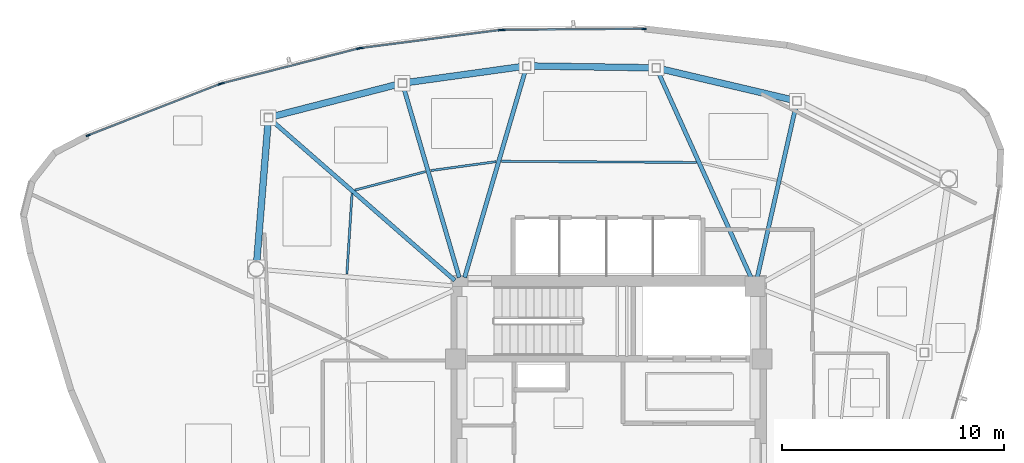
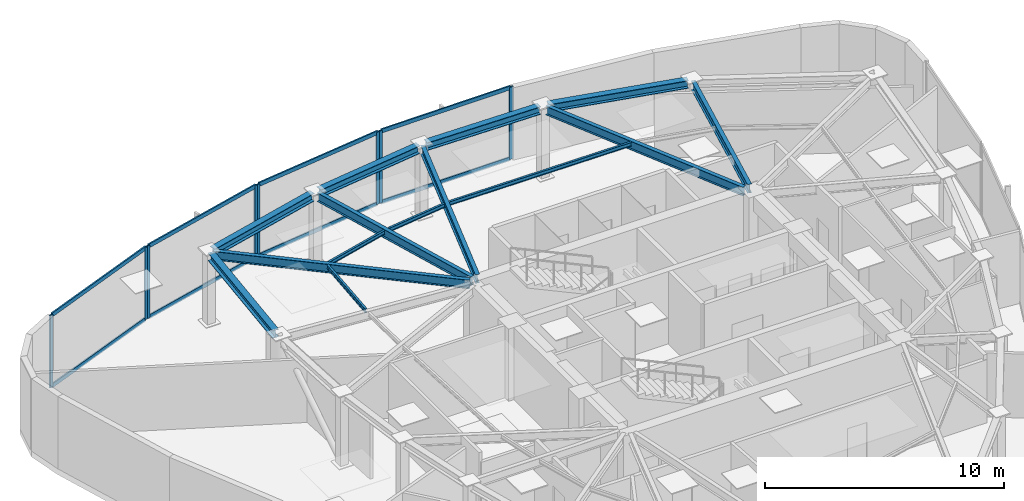
# One storey, part 5 of 11: 16 members, 14 beams, 4 elements without a shape of their own.
"""IFC4 building model written with IfcOpenShell, lengths in metres."""

from ifc_helpers import new_model, si_unit, direction, frame, origin, origin_2d, place, context, subcontext, project, spatial, hollow_rectangle, i_section, extrude, source, transform, mapped, material, layer, layer_set, material_profile, profile_set, type_object, type_shapes, element, aggregate, save


model = new_model("IFC4")

# Units and contexts
model_context = context("Model", 3, precision=1e-05, world=origin(), true_north=direction((0.0, 1.0)))
body_context = subcontext(model_context, "Body", "Model", "MODEL_VIEW")
ifc_project = project(units=[si_unit("LENGTHUNIT", "METRE"), si_unit("AREAUNIT", "SQUARE_METRE"), si_unit("VOLUMEUNIT", "CUBIC_METRE"), si_unit("PLANEANGLEUNIT", "RADIAN"), si_unit("MASSUNIT", "GRAM", prefix="KILO")], contexts=[model_context])

# Site, building, storey
site_placement = place(None, origin())
site = spatial("IfcSite", under=ifc_project, at=site_placement, CompositionType="ELEMENT")
building_placement = place(site_placement, origin())
building = spatial("IfcBuilding", under=site, at=building_placement, Name="Tavelor Broadcast Tower", CompositionType="ELEMENT")
storey_placement = place(building_placement, frame((0.0, 0.0, 313.5)))
storey = spatial("IfcBuildingStorey", under=building, at=storey_placement, Name="L75", CompositionType="ELEMENT", Elevation=313.5)

# Beams
ifc_material_1 = material(Name="Steel S355", Category="steel")
ifc_material_profile_1 = material_profile(ifc_material_1, i_section(OverallWidth=0.10009765625, OverallDepth=0.199951171875, WebThickness=0.005615234375, FlangeThickness=0.008544921875, at=origin_2d()), Name="IPE 200")
ifc_profile_set_1 = profile_set([ifc_material_profile_1], Name="Steel S355")
beam_type_1 = type_object("IfcBeamType", Name="Composite Floor Joist T8 IPE 200", PredefinedType="JOIST", material=ifc_profile_set_1)
beam_1_placement = place(storey_placement, frame((53.948486328125, 56.79248046875, 3.60009765625), z_axis=(-0.999983070215, 0.005818873004, 0.0), x_axis=(-0.005818873004, -0.999983070215, 0.0)))
element("IfcBeam", 1, at=beam_1_placement, inside=storey, type_object=beam_type_1, Name="L75 Secondary Composite Floor Joist 15", PredefinedType="JOIST", context=body_context, shape_type="SweptSolid", body=[
    extrude(i_section(OverallWidth=0.10009765625, OverallDepth=0.199951171875, WebThickness=0.005615234375, FlangeThickness=0.008544921875, at=origin_2d()), origin(), (0.0, 0.0, 1.0), 8.76904296875),
])
beam_2_placement = place(storey_placement, frame((44.933349609375, 56.827392578125, 3.60009765625), z_axis=(-0.990783480594, -0.135455138636, 0.0), x_axis=(0.135455138636, -0.990783480594, 0.0)))
element("IfcBeam", 2, at=beam_2_placement, inside=storey, type_object=beam_type_1, Name="L75 Secondary Composite Floor Joist 16", PredefinedType="JOIST", context=body_context, shape_type="SweptSolid", body=[
    extrude(i_section(OverallWidth=0.10009765625, OverallDepth=0.199951171875, WebThickness=0.005615234375, FlangeThickness=0.008544921875, at=origin_2d()), origin(), (0.0, 0.0, 1.0), 2.963134765625),
])
beam_3_placement = place(storey_placement, frame((41.755126953125, 56.3779296875, 3.60009765625), z_axis=(-0.967401296423, -0.253248359677, 0.0), x_axis=(0.253248359677, -0.967401296423, 0.0)))
element("IfcBeam", 3, at=beam_3_placement, inside=storey, type_object=beam_type_1, Name="L75 Secondary Composite Floor Joist 17", PredefinedType="JOIST", context=body_context, shape_type="SweptSolid", body=[
    extrude(i_section(OverallWidth=0.10009765625, OverallDepth=0.199951171875, WebThickness=0.005615234375, FlangeThickness=0.008544921875, at=origin_2d()), origin(), (0.0, 0.0, 1.0), 3.282470703125),
])
beam_4_placement = place(storey_placement, frame((38.451904296875, 55.391845703125, 3.60009765625), z_axis=(-0.063760012588, -0.997965260315, 0.0), x_axis=(0.997965260315, -0.063760012588, 0.0)))
element("IfcBeam", 4, at=beam_4_placement, inside=storey, type_object=beam_type_1, Name="L75 Secondary Composite Floor Joist 18", PredefinedType="JOIST", context=body_context, shape_type="SweptSolid", body=[
    extrude(i_section(OverallWidth=0.10009765625, OverallDepth=0.199951171875, WebThickness=0.005615234375, FlangeThickness=0.008544921875, at=origin_2d()), origin(), (0.0, 0.0, 1.0), 3.6298828125),
])
ifc_material_profile_2 = material_profile(ifc_material_1, i_section(OverallWidth=0.300048828125, OverallDepth=0.39990234375, WebThickness=0.013427734375, FlangeThickness=0.02392578125, at=origin_2d()), Name="HEB 400")
ifc_profile_set_2 = profile_set([ifc_material_profile_2], Name="Steel S355")
beam_type_2 = type_object("IfcBeamType", Name="Perimeter Spandrel Beam T8 HEB 400", PredefinedType="SPANDREL", material=ifc_profile_set_2)
beam_5_placement = place(storey_placement, frame((58.298583984375, 59.601318359375, 3.5), z_axis=(-0.973341352965, 0.229361310181, 0.0), x_axis=(-0.229361310181, -0.973341352965, 0.0)))
element("IfcBeam", 5, at=beam_5_placement, inside=storey, type_object=beam_type_2, Name="L75 Framed-Tube Ring Spandrel 14", PredefinedType="SPANDREL", context=body_context, shape_type="SweptSolid", body=[
    extrude(i_section(OverallWidth=0.300048828125, OverallDepth=0.39990234375, WebThickness=0.013427734375, FlangeThickness=0.02392578125, at=origin_2d()), origin(), (0.0, 0.0, 1.0), 6.1279296875),
])
beam_6_placement = place(storey_placement, frame((51.955078125, 61.0537109375, 3.5), z_axis=(-0.999889988423, 0.014832769514, 0.0), x_axis=(-0.014832769514, -0.999889988423, 0.0)))
element("IfcBeam", 6, at=beam_6_placement, inside=storey, type_object=beam_type_2, Name="L75 Framed-Tube Ring Spandrel 15", PredefinedType="SPANDREL", context=body_context, shape_type="SweptSolid", body=[
    extrude(i_section(OverallWidth=0.300048828125, OverallDepth=0.39990234375, WebThickness=0.013427734375, FlangeThickness=0.02392578125, at=origin_2d()), origin(), (0.0, 0.0, 1.0), 5.447998046875),
])
beam_7_placement = place(storey_placement, frame((46.125244140625, 61.11083984375, 3.5), z_axis=(-0.990516995132, -0.137390255677, 0.0), x_axis=(0.137390255677, -0.990516995132, 0.0)))
element("IfcBeam", 7, at=beam_7_placement, inside=storey, type_object=beam_type_2, Name="L75 Framed-Tube Ring Spandrel 16", PredefinedType="SPANDREL", context=body_context, shape_type="SweptSolid", body=[
    extrude(i_section(OverallWidth=0.300048828125, OverallDepth=0.39990234375, WebThickness=0.013427734375, FlangeThickness=0.02392578125, at=origin_2d()), origin(), (0.0, 0.0, 1.0), 5.26708984375),
])
beam_8_placement = place(storey_placement, frame((40.531982421875, 60.31298828125, 3.5), z_axis=(-0.96843501409, -0.249266169955, 0.0), x_axis=(0.249266169955, -0.96843501409, 0.0)))
element("IfcBeam", 8, at=beam_8_placement, inside=storey, type_object=beam_type_2, Name="L75 Framed-Tube Ring Spandrel 17", PredefinedType="SPANDREL", context=body_context, shape_type="SweptSolid", body=[
    extrude(i_section(OverallWidth=0.300048828125, OverallDepth=0.39990234375, WebThickness=0.013427734375, FlangeThickness=0.02392578125, at=origin_2d()), origin(), (0.0, 0.0, 1.0), 5.84130859375),
])
beam_9_placement = place(storey_placement, frame((34.673583984375, 58.61767578125, 3.5), z_axis=(-0.081080064874, -0.996707591563, 0.0), x_axis=(0.996707591563, -0.081080064874, 0.0)))
element("IfcBeam", 9, at=beam_9_placement, inside=storey, type_object=beam_type_2, Name="L75 Framed-Tube Ring Spandrel 18", PredefinedType="SPANDREL", context=body_context, shape_type="SweptSolid", body=[
    extrude(i_section(OverallWidth=0.300048828125, OverallDepth=0.39990234375, WebThickness=0.013427734375, FlangeThickness=0.02392578125, at=origin_2d()), origin(), (0.0, 0.0, 1.0), 6.30224609375),
])
ifc_material_profile_3 = material_profile(ifc_material_1, i_section(OverallWidth=0.18994140625, OverallDepth=0.449951171875, WebThickness=0.009521484375, FlangeThickness=0.0146484375, at=origin_2d()), Name="IPE 450")
ifc_profile_set_3 = profile_set([ifc_material_profile_3], Name="Steel S355")
beam_type_3 = type_object("IfcBeamType", Name="Radial Floor Girder T8 IPE 450", PredefinedType="BEAM", material=ifc_profile_set_3)
beam_10_placement = place(storey_placement, frame((56.695068359375, 51.621337890625, 3.47509765625), z_axis=(0.220095779936, 0.975478266111, 0.0), x_axis=(-0.975478266111, 0.220095779936, 0.0)))
element("IfcBeam", 10, at=beam_10_placement, inside=storey, type_object=beam_type_3, Name="L75 Radial Primary Floor Girder 14", PredefinedType="BEAM", context=body_context, shape_type="SweptSolid", body=[
    extrude(i_section(OverallWidth=0.18994140625, OverallDepth=0.449951171875, WebThickness=0.009521484375, FlangeThickness=0.0146484375, at=origin_2d()), origin(), (0.0, 0.0, 1.0), 7.943359375),
])
beam_11_placement = place(storey_placement, frame((56.422119140625, 51.59375, 3.47509765625), z_axis=(-0.411898788623, 0.911229602203, 0.0), x_axis=(-0.911229602203, -0.411898788623, 0.0)))
element("IfcBeam", 11, at=beam_11_placement, inside=storey, type_object=beam_type_3, Name="L75 Radial Primary Floor Girder 15", PredefinedType="BEAM", context=body_context, shape_type="SweptSolid", body=[
    extrude(i_section(OverallWidth=0.18994140625, OverallDepth=0.449951171875, WebThickness=0.009521484375, FlangeThickness=0.0146484375, at=origin_2d()), origin(), (0.0, 0.0, 1.0), 10.1865234375),
])
beam_12_placement = place(storey_placement, frame((43.521484375, 51.614501953125, 3.47509765625), z_axis=(0.281536086391, 0.959550640696, 0.0), x_axis=(-0.959550640696, 0.281536086391, 0.0)))
element("IfcBeam", 12, at=beam_12_placement, inside=storey, type_object=beam_type_3, Name="L75 Radial Primary Floor Girder 16", PredefinedType="BEAM", context=body_context, shape_type="SweptSolid", body=[
    extrude(i_section(OverallWidth=0.18994140625, OverallDepth=0.449951171875, WebThickness=0.009521484375, FlangeThickness=0.0146484375, at=origin_2d()), origin(), (0.0, 0.0, 1.0), 9.732177734375),
])
beam_13_placement = place(storey_placement, frame((43.278564453125, 51.614501953125, 3.47509765625), z_axis=(-0.280989740676, 0.959710771866, 0.0), x_axis=(-0.959710771866, -0.280989740676, 0.0)))
element("IfcBeam", 13, at=beam_13_placement, inside=storey, type_object=beam_type_3, Name="L75 Radial Primary Floor Girder 17", PredefinedType="BEAM", context=body_context, shape_type="SweptSolid", body=[
    extrude(i_section(OverallWidth=0.18994140625, OverallDepth=0.449951171875, WebThickness=0.009521484375, FlangeThickness=0.0146484375, at=origin_2d()), origin(), (0.0, 0.0, 1.0), 8.92138671875),
])
beam_14_placement = place(storey_placement, frame((43.07470703125, 51.484130859375, 3.47509765625), z_axis=(-0.753136193323, 0.657864632206, 0.0), x_axis=(-0.657864632206, -0.753136193323, 0.0)))
element("IfcBeam", 14, at=beam_14_placement, inside=storey, type_object=beam_type_3, Name="L75 Radial Primary Floor Girder 18", PredefinedType="BEAM", context=body_context, shape_type="SweptSolid", body=[
    extrude(i_section(OverallWidth=0.18994140625, OverallDepth=0.449951171875, WebThickness=0.009521484375, FlangeThickness=0.0146484375, at=origin_2d()), origin(), (0.0, 0.0, 1.0), 10.942138671875),
])

# Curtain wall, members
ifc_material_2 = material(Name="Architectural Anodized Aluminium", Category="aluminium")
ifc_layer = layer(ifc_material_2, 0.199951171875)
ifc_layer_set = layer_set([ifc_layer], Name="Architectural Anodized Aluminium")
curtain_wall_type = type_object("IfcCurtainWallType", Name="Tower High-Zone Triple-Glazed Curtain Wall CW04", PredefinedType="NOTDEFINED", material=ifc_layer_set)
curtain_wall_1_placement = place(storey_placement, origin())
curtain_wall_1 = element("IfcCurtainWall", 15, at=curtain_wall_1_placement, inside=storey, type_object=curtain_wall_type, Name="L75 Curtain Wall CW04 Run 837", PredefinedType="NOTDEFINED")
ifc_material_profile_4 = material_profile(ifc_material_2, hollow_rectangle(XDim=0.070068359375, YDim=0.199951171875, WallThickness=0.02197265625, at=origin_2d()), Name="RHS 70x200x22")
ifc_profile_set_4 = profile_set([ifc_material_profile_4], Name="Architectural Anodized Aluminium")
member_type_1 = type_object("IfcMemberType", Name="CW04 Extruded Aluminium Mullion 70x200", PredefinedType="MULLION", material=ifc_profile_set_4)
shared_shape_1 = source(origin(), body_context, "Body", "SweptSolid", [
    extrude(hollow_rectangle(XDim=0.070068359375, YDim=0.199951171875, WallThickness=0.02197265625, at=origin_2d()), origin(), (0.0, 0.0, 1.0), 3.699951171875),
])
type_shapes(member_type_1, [shared_shape_1])
member_1_placement = place(storey_placement, frame((51.600341796875, 62.807861328125, 0.0), z_axis=(0.0, 0.0, 1.0), x_axis=(0.00740121536, -0.999972610631, 0.0)))
member_1 = element("IfcMember", 16, at=member_1_placement, type_object=member_type_1, Name="CW04 mullion 1", PredefinedType="MULLION", context=body_context, shape_type="MappedRepresentation", body=[
    mapped(shared_shape_1, transform((0.0, 0.0, 0.0), scale=1.0)),
])
member_2_placement = place(storey_placement, frame((45.2392578125, 62.7607421875, 0.0), z_axis=(0.0, 0.0, 1.0), x_axis=(0.00740121536, -0.999972610631, 0.0)))
member_2 = element("IfcMember", 17, at=member_2_placement, type_object=member_type_1, Name="CW04 mullion 2", PredefinedType="MULLION", context=body_context, shape_type="MappedRepresentation", body=[
    mapped(shared_shape_1, transform((0.0, 0.0, 0.0), scale=1.0)),
])

curtain_wall_2_placement = place(storey_placement, origin())
curtain_wall_2 = element("IfcCurtainWall", 18, at=curtain_wall_2_placement, inside=storey, type_object=curtain_wall_type, Name="L75 Curtain Wall CW04 Run 838", PredefinedType="NOTDEFINED")
member_3_placement = place(storey_placement, frame((45.1396484375, 62.75390625, 0.0), z_axis=(0.0, 0.0, 1.0), x_axis=(0.128359025597, -0.991727765341, 0.0)))
member_3 = element("IfcMember", 19, at=member_3_placement, type_object=member_type_1, Name="CW04 mullion 1", PredefinedType="MULLION", context=body_context, shape_type="MappedRepresentation", body=[
    mapped(shared_shape_1, transform((0.0, 0.0, 0.0), scale=1.0)),
])
member_4_placement = place(storey_placement, frame((38.845703125, 61.939208984375, 0.0), z_axis=(0.0, 0.0, 1.0), x_axis=(0.128359025597, -0.991727765341, 0.0)))
member_4 = element("IfcMember", 20, at=member_4_placement, type_object=member_type_1, Name="CW04 mullion 2", PredefinedType="MULLION", context=body_context, shape_type="MappedRepresentation", body=[
    mapped(shared_shape_1, transform((0.0, 0.0, 0.0), scale=1.0)),
])

curtain_wall_3_placement = place(storey_placement, origin())
curtain_wall_3 = element("IfcCurtainWall", 21, at=curtain_wall_3_placement, inside=storey, type_object=curtain_wall_type, Name="L75 Curtain Wall CW04 Run 839", PredefinedType="NOTDEFINED")
member_5_placement = place(storey_placement, frame((38.747802734375, 61.92041015625, 0.0), z_axis=(0.0, 0.0, 1.0), x_axis=(0.247428072682, -0.968906264222, 0.0)))
member_5 = element("IfcMember", 22, at=member_5_placement, type_object=member_type_1, Name="CW04 mullion 1", PredefinedType="MULLION", context=body_context, shape_type="MappedRepresentation", body=[
    mapped(shared_shape_1, transform((0.0, 0.0, 0.0), scale=1.0)),
])
member_6_placement = place(storey_placement, frame((32.5986328125, 60.35009765625, 0.0), z_axis=(0.0, 0.0, 1.0), x_axis=(0.247428072682, -0.968906264222, 0.0)))
member_6 = element("IfcMember", 23, at=member_6_placement, type_object=member_type_1, Name="CW04 mullion 2", PredefinedType="MULLION", context=body_context, shape_type="MappedRepresentation", body=[
    mapped(shared_shape_1, transform((0.0, 0.0, 0.0), scale=1.0)),
])

curtain_wall_4_placement = place(storey_placement, origin())
curtain_wall_4 = element("IfcCurtainWall", 24, at=curtain_wall_4_placement, inside=storey, type_object=curtain_wall_type, Name="L75 Curtain Wall CW04 Run 840", PredefinedType="NOTDEFINED")
member_7_placement = place(storey_placement, frame((32.503662109375, 60.319580078125, 0.0), z_axis=(0.0, 0.0, 1.0), x_axis=(0.362856605071, -0.931844989339, 0.0)))
member_7 = element("IfcMember", 25, at=member_7_placement, type_object=member_type_1, Name="CW04 mullion 1", PredefinedType="MULLION", context=body_context, shape_type="MappedRepresentation", body=[
    mapped(shared_shape_1, transform((0.0, 0.0, 0.0), scale=1.0)),
])
member_8_placement = place(storey_placement, frame((26.574951171875, 58.010986328125, 0.0), z_axis=(0.0, 0.0, 1.0), x_axis=(0.362856605071, -0.931844989339, 0.0)))
member_8 = element("IfcMember", 26, at=member_8_placement, type_object=member_type_1, Name="CW04 mullion 2", PredefinedType="MULLION", context=body_context, shape_type="MappedRepresentation", body=[
    mapped(shared_shape_1, transform((0.0, 0.0, 0.0), scale=1.0)),
])

# Member
ifc_material_profile_5 = material_profile(ifc_material_2, hollow_rectangle(XDim=0.070068359375, YDim=0.199951171875, WallThickness=0.02197265625, at=origin_2d()), Name="RHS 70x200x22")
ifc_profile_set_5 = profile_set([ifc_material_profile_5], Name="Architectural Anodized Aluminium")
member_type_2 = type_object("IfcMemberType", Name="CW04 Extruded Aluminium Transom 70x200", PredefinedType="USERDEFINED", material=ifc_profile_set_5)
shared_shape_2 = source(origin(), body_context, "Body", "SweptSolid", [
    extrude(hollow_rectangle(XDim=0.070068359375, YDim=0.199951171875, WallThickness=0.02197265625, at=origin_2d()), origin(), (0.0, 0.0, 1.0), 6.2763671875),
])
member_9_placement = place(storey_placement, frame((45.10498046875, 62.74951171875, 0.034912109375), z_axis=(-0.991726825288, -0.128366288427, 0.0), x_axis=(0.128366288427, -0.991726825288, 0.0)))
member_9 = element("IfcMember", 27, at=member_9_placement, type_object=member_type_2, Name="CW04 transom 1.1", ObjectType="TRANSOM", PredefinedType="USERDEFINED", context=body_context, shape_type="MappedRepresentation", body=[
    mapped(shared_shape_2, transform((0.0, 0.0, 0.0), scale=1.0)),
])

member_10_placement = place(storey_placement, frame((45.10498046875, 62.74951171875, 3.6650390625), z_axis=(-0.991726825288, -0.128366288427, 0.0), x_axis=(0.128366288427, -0.991726825288, 0.0)))
member_10 = element("IfcMember", 28, at=member_10_placement, type_object=member_type_2, Name="CW04 transom 1.2", ObjectType="TRANSOM", PredefinedType="USERDEFINED", context=body_context, shape_type="MappedRepresentation", body=[
    mapped(shared_shape_2, transform((0.0, 0.0, 0.0), scale=1.0)),
])

aggregate(curtain_wall_2, [member_3, member_4, member_9, member_10])

member_11_placement = place(storey_placement, frame((38.7138671875, 61.911865234375, 0.034912109375), z_axis=(-0.968906005476, -0.247429085906, 0.0), x_axis=(0.247429085906, -0.968906005476, 0.0)))
member_11 = element("IfcMember", 29, at=member_11_placement, type_object=member_type_2, Name="CW04 transom 1.1", ObjectType="TRANSOM", PredefinedType="USERDEFINED", context=body_context, shape_type="MappedRepresentation", body=[
    mapped(shared_shape_2, transform((0.0, 0.0, 0.0), scale=1.0)),
])

member_12_placement = place(storey_placement, frame((38.7138671875, 61.911865234375, 3.6650390625), z_axis=(-0.968906005476, -0.247429085906, 0.0), x_axis=(0.247429085906, -0.968906005476, 0.0)))
member_12 = element("IfcMember", 30, at=member_12_placement, type_object=member_type_2, Name="CW04 transom 1.2", ObjectType="TRANSOM", PredefinedType="USERDEFINED", context=body_context, shape_type="MappedRepresentation", body=[
    mapped(shared_shape_2, transform((0.0, 0.0, 0.0), scale=1.0)),
])

aggregate(curtain_wall_3, [member_5, member_6, member_11, member_12])

shared_shape_3 = source(origin(), body_context, "Body", "SweptSolid", [
    extrude(hollow_rectangle(XDim=0.070068359375, YDim=0.199951171875, WallThickness=0.02197265625, at=origin_2d()), origin(), (0.0, 0.0, 1.0), 6.29248046875),
])
member_13_placement = place(storey_placement, frame((32.47119140625, 60.306884765625, 0.034912109375), z_axis=(-0.931846576608, -0.36285252881, 0.0), x_axis=(0.36285252881, -0.931846576608, 0.0)))
member_13 = element("IfcMember", 31, at=member_13_placement, type_object=member_type_2, Name="CW04 transom 1.1", ObjectType="TRANSOM", PredefinedType="USERDEFINED", context=body_context, shape_type="MappedRepresentation", body=[
    mapped(shared_shape_3, transform((0.0, 0.0, 0.0), scale=1.0)),
])

member_14_placement = place(storey_placement, frame((32.47119140625, 60.306884765625, 3.6650390625), z_axis=(-0.931846576608, -0.36285252881, 0.0), x_axis=(0.36285252881, -0.931846576608, 0.0)))
member_14 = element("IfcMember", 32, at=member_14_placement, type_object=member_type_2, Name="CW04 transom 1.2", ObjectType="TRANSOM", PredefinedType="USERDEFINED", context=body_context, shape_type="MappedRepresentation", body=[
    mapped(shared_shape_3, transform((0.0, 0.0, 0.0), scale=1.0)),
])

aggregate(curtain_wall_4, [member_7, member_8, member_13, member_14])

shared_shape_4 = source(origin(), body_context, "Body", "SweptSolid", [
    extrude(hollow_rectangle(XDim=0.070068359375, YDim=0.199951171875, WallThickness=0.02197265625, at=origin_2d()), origin(), (0.0, 0.0, 1.0), 6.29150390625),
])
type_shapes(member_type_2, [shared_shape_2, shared_shape_3, shared_shape_4])
member_15_placement = place(storey_placement, frame((51.5654296875, 62.8076171875, 0.034912109375), z_axis=(-0.99997253221, -0.007411803083, 0.0), x_axis=(0.007411803083, -0.99997253221, 0.0)))
member_15 = element("IfcMember", 33, at=member_15_placement, type_object=member_type_2, Name="CW04 transom 1.1", ObjectType="TRANSOM", PredefinedType="USERDEFINED", context=body_context, shape_type="MappedRepresentation", body=[
    mapped(shared_shape_4, transform((0.0, 0.0, 0.0), scale=1.0)),
])

member_16_placement = place(storey_placement, frame((51.5654296875, 62.8076171875, 3.6650390625), z_axis=(-0.99997253221, -0.007411803083, 0.0), x_axis=(0.007411803083, -0.99997253221, 0.0)))
member_16 = element("IfcMember", 34, at=member_16_placement, type_object=member_type_2, Name="CW04 transom 1.2", ObjectType="TRANSOM", PredefinedType="USERDEFINED", context=body_context, shape_type="MappedRepresentation", body=[
    mapped(shared_shape_4, transform((0.0, 0.0, 0.0), scale=1.0)),
])

aggregate(curtain_wall_1, [member_1, member_2, member_15, member_16])

save(model, "model.ifc")
